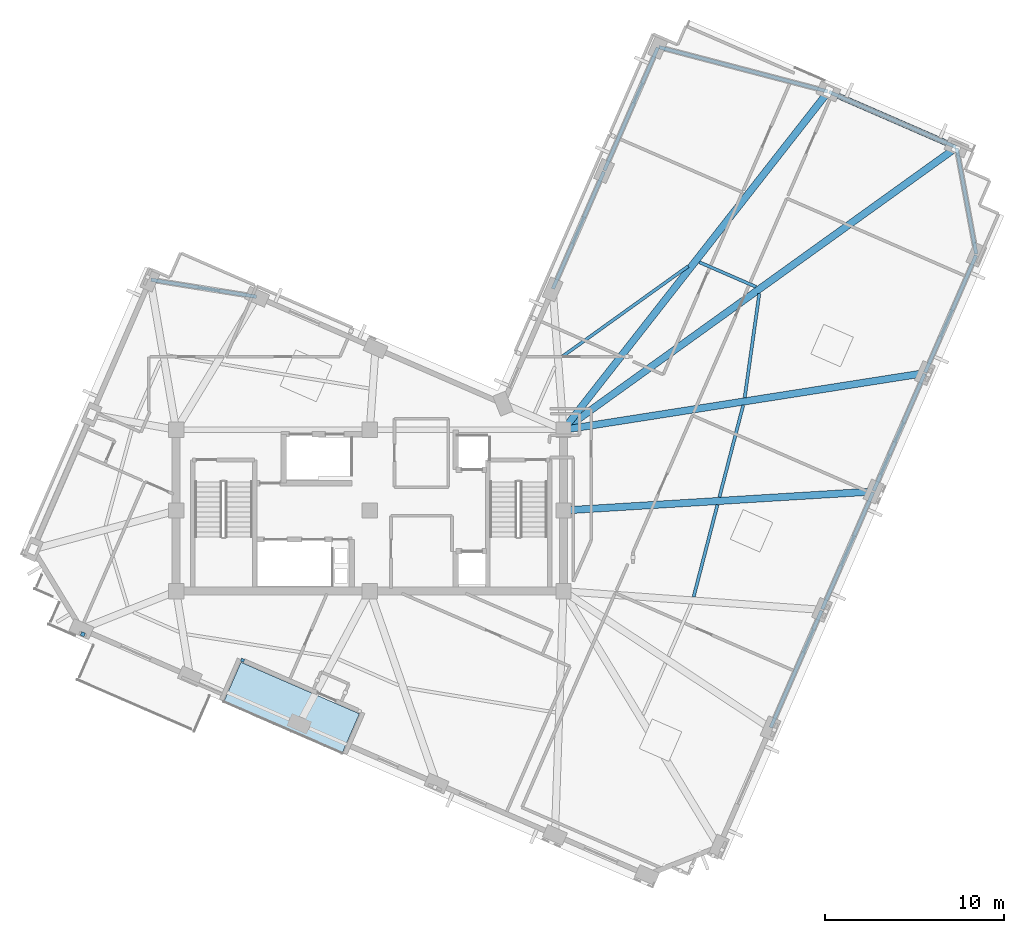
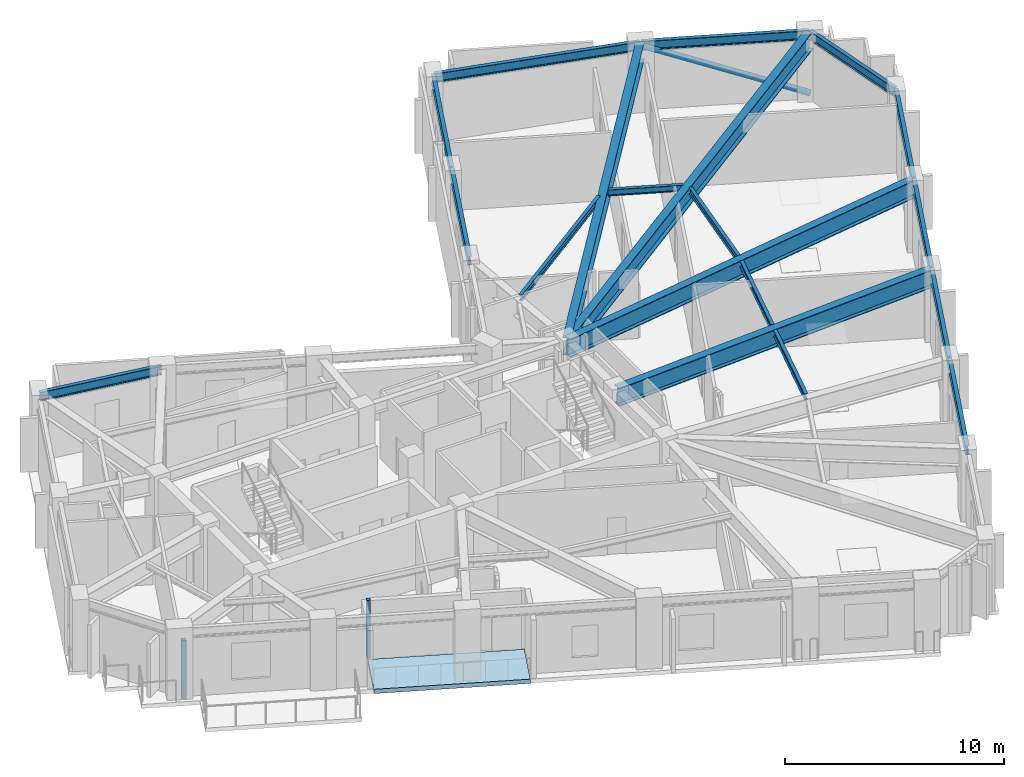
# One storey, part 2 of 12: 19 beams, 2 plates, 1 member, 1 slab.
"""IFC4 building model written with IfcOpenShell, lengths in metres."""

import ifcopenshell
import ifcopenshell.guid

model = None  # the IFC model being written
_history = None  # IfcOwnerHistory: only IFC2X3 demands one
_inside = {}  # id of a spatial element -> (the spatial element, [elements in it])
_under = {}  # id of a project, library or spatial element -> (it, [spatial elements below it])
_declared = {}  # id of a project -> (the project, [libraries it declares])
_typed = {}  # id of a type object -> (the type object, [elements of that type])
_made_of = {}  # id of a material, layer set ... -> (it, [elements and type objects made of it])


def new_model(schema):
    """Start an empty IFC model of exactly this schema.

    Asked for "IFC4X3", IfcOpenShell would pick the latest addendum, in which some entities
    have other attributes; the version numbers below select the first issue.
    IFC2X3 requires an IfcOwnerHistory on every rooted entity: one is made here for all.
    """
    global model, _history
    if schema == "IFC4X3":
        model = ifcopenshell.file(schema_version=(4, 3, 0, 0))
    else:
        model = ifcopenshell.file(schema=schema)
    _inside.clear()
    _under.clear()
    _declared.clear()
    _typed.clear()
    _made_of.clear()
    _history = None
    if model.schema == "IFC2X3":
        org = make("IfcOrganization", Name="unknown")
        user = make(
            "IfcPersonAndOrganization",
            ThePerson=make("IfcPerson", FamilyName="unknown"),
            TheOrganization=org,
        )
        app = make(
            "IfcApplication",
            ApplicationDeveloper=org,
            Version="unknown",
            ApplicationFullName="unknown",
            ApplicationIdentifier="unknown",
        )
        _history = make(
            "IfcOwnerHistory",
            OwningUser=user,
            OwningApplication=app,
            ChangeAction="ADDED",
            CreationDate=0,
        )
    return model


def make(cls, **values):
    """One entity of the class cls with the attributes given. An attribute that is None is left unset."""
    return model.create_entity(
        cls, **{name: value for name, value in values.items() if value is not None}
    )


def rooted(cls, **values):
    """An entity with a GlobalId (a new one), such as an element, a storey or a relation."""
    return make(cls, GlobalId=ifcopenshell.guid.new(), OwnerHistory=_history, **values)


def si_unit(unit_type, name, prefix=None):
    """IfcSIUnit, for example si_unit("LENGTHUNIT", "METRE", prefix="MILLI")."""
    return make("IfcSIUnit", UnitType=unit_type, Prefix=prefix, Name=name)


def assignment(units):
    """IfcUnitAssignment: the units of a project."""
    return None if units is None else make("IfcUnitAssignment", Units=units)


def point(xyz):
    """IfcCartesianPoint."""
    return None if xyz is None else make("IfcCartesianPoint", Coordinates=xyz)


def direction(xyz):
    """IfcDirection."""
    return None if xyz is None else make("IfcDirection", DirectionRatios=xyz)


def frame(location, z_axis=None, x_axis=None):
    """IfcAxis2Placement3D, a coordinate frame: its origin and axes. An axis left out is left unset."""
    return make(
        "IfcAxis2Placement3D",
        Location=point(location),
        Axis=direction(z_axis),
        RefDirection=direction(x_axis),
    )


def frame_2d(location, x_axis=None):
    """IfcAxis2Placement2D, a coordinate frame in the plane: its origin and x axis."""
    return make(
        "IfcAxis2Placement2D", Location=point(location), RefDirection=direction(x_axis)
    )


def origin():
    """The frame at (0, 0, 0) with its axes left unset."""
    return frame((0.0, 0.0, 0.0))


def origin_2d():
    """The frame at (0, 0) in the plane with its x axis left unset."""
    return frame_2d((0.0, 0.0))


def place(relative_to, where):
    """IfcLocalPlacement: puts the frame where relative to a parent placement (None: the world)."""
    return make(
        "IfcLocalPlacement", PlacementRelTo=relative_to, RelativePlacement=where
    )


def context(
    kind, dimensions, precision=None, world=None, true_north=None, identifier=None
):
    """IfcGeometricRepresentationContext, for example the 3D "Model" context."""
    return make(
        "IfcGeometricRepresentationContext",
        ContextIdentifier=identifier,
        ContextType=kind,
        CoordinateSpaceDimension=dimensions,
        Precision=precision,
        WorldCoordinateSystem=world,
        TrueNorth=true_north,
    )


def subcontext(parent, identifier, kind, view, scale=None):
    """IfcGeometricRepresentationSubContext, for example "Body" below "Model"."""
    return make(
        "IfcGeometricRepresentationSubContext",
        ContextIdentifier=identifier,
        ContextType=kind,
        ParentContext=parent,
        TargetScale=scale,
        TargetView=view,
    )


def project(units=None, contexts=None):
    """IfcProject with its units and contexts."""
    return rooted(
        "IfcProject",
        Name="project",
        RepresentationContexts=contexts,
        UnitsInContext=assignment(units),
    )


def spatial(cls, under=None, at=None, **own):
    """A site, building, storey or space (cls), placed at a placement, below another one or the project."""
    s = rooted(cls, ObjectPlacement=at, **own)
    if under is not None:
        _under.setdefault(under.id(), (under, []))[1].append(s)
    return s


def polyline(points):
    """IfcPolyline through the points."""
    return make("IfcPolyline", Points=[point(p) for p in points])


def profile(cls, at=None, kind="AREA", **sizes):
    """A parametric profile (cls). Its sizes go by their IFC names, for example OverallWidth=200.0."""
    return make(cls, ProfileType=kind, Position=at, **sizes)


def rectangle(**sizes):
    """IfcRectangleProfileDef."""
    return profile("IfcRectangleProfileDef", **sizes)


def hollow_circle(**sizes):
    """IfcCircleHollowProfileDef."""
    return profile("IfcCircleHollowProfileDef", **sizes)


def i_section(**sizes):
    """IfcIShapeProfileDef."""
    return profile("IfcIShapeProfileDef", **sizes)


def outline(outer, holes=None, kind="AREA"):
    """IfcArbitraryClosedProfileDef: a profile drawn as a closed curve; with holes, ...WithVoids."""
    if holes is None:
        return make("IfcArbitraryClosedProfileDef", ProfileType=kind, OuterCurve=outer)
    return make(
        "IfcArbitraryProfileDefWithVoids",
        ProfileType=kind,
        OuterCurve=outer,
        InnerCurves=holes,
    )


def extrude(swept, where, along, depth):
    """IfcExtrudedAreaSolid: the profile swept, set in the frame where, extruded along a direction by depth."""
    return make(
        "IfcExtrudedAreaSolid",
        SweptArea=swept,
        Position=where,
        ExtrudedDirection=direction(along),
        Depth=depth,
    )


def shape(context_of_items, identifier, shape_type, items):
    """IfcShapeRepresentation: the items that make up one representation, for example the "Body"."""
    return make(
        "IfcShapeRepresentation",
        ContextOfItems=context_of_items,
        RepresentationIdentifier=identifier,
        RepresentationType=shape_type,
        Items=items,
    )


def material(Name=None, Category=None):
    """IfcMaterial."""
    return make("IfcMaterial", Name=Name, Category=Category)


def layer(
    of_material, thickness, ventilated=None, Name=None, Category=None, Priority=None
):
    """IfcMaterialLayer: one layer of a wall or slab, of a material (None: an air gap)."""
    return make(
        "IfcMaterialLayer",
        Material=of_material,
        LayerThickness=thickness,
        IsVentilated=ventilated,
        Name=Name,
        Category=Category,
        Priority=Priority,
    )


def layer_set(layers, Name=None):
    """IfcMaterialLayerSet."""
    return make("IfcMaterialLayerSet", MaterialLayers=layers, LayerSetName=Name)


def material_profile(
    of_material, cross_section, Name=None, Category=None, Priority=None
):
    """IfcMaterialProfile: a cross section and its material."""
    return make(
        "IfcMaterialProfile",
        Name=Name,
        Material=of_material,
        Profile=cross_section,
        Priority=Priority,
        Category=Category,
    )


def profile_set(profiles, Name=None, composite=None):
    """IfcMaterialProfileSet."""
    return make(
        "IfcMaterialProfileSet",
        Name=Name,
        MaterialProfiles=profiles,
        CompositeProfile=composite,
    )


def made_of(thing, what):
    """Note that an element or type object is made of a material, layer set ...; save() writes the relation."""
    if what is not None:
        _made_of.setdefault(what.id(), (what, []))[1].append(thing)
    return thing


def type_object(cls, material=None, **own):
    """A type object (cls), such as IfcWallType, which elements share."""
    return made_of(rooted(cls, **own), material)


def element(
    cls,
    number,
    at=None,
    inside=None,
    cuts=None,
    type_object=None,
    material=None,
    context=None,
    identifier="Body",
    shape_type=None,
    held_by="IfcProductDefinitionShape",
    body=None,
    shapes=None,
    **own,
):
    """One element of the class cls, such as IfcWall. Its Tag is "e" and its number.

    at: its placement. inside: the storey or other place that contains it. cuts: it is an
    opening in that element (IfcRelVoidsElement). A single representation is given by context,
    identifier, shape_type and body (its items); several are given by shapes. held_by: the class
    of the entity that holds the representations. save() writes the other relations.
    """
    e = rooted(cls, Tag="e%d" % number, ObjectPlacement=at, **own)
    if body is not None:
        shapes = [shape(context, identifier, shape_type, body)]
    if shapes is not None:
        e.Representation = make(held_by, Representations=shapes)
    if inside is not None:
        _inside.setdefault(inside.id(), (inside, []))[1].append(e)
    if cuts is not None:
        rooted(
            "IfcRelVoidsElement", RelatingBuildingElement=cuts, RelatedOpeningElement=e
        )
    if type_object is not None:
        _typed.setdefault(type_object.id(), (type_object, []))[1].append(e)
    return made_of(e, material)


def aggregate(whole, parts):
    """IfcRelAggregates: a whole, such as a stair, and the parts it consists of."""
    return rooted("IfcRelAggregates", RelatingObject=whole, RelatedObjects=parts)


def save(model, path):
    """Write the relations noted so far, then the file.

    IfcRelAggregates (storeys below a building ...), IfcRelContainedInSpatialStructure (elements
    in a storey), IfcRelDefinesByType, IfcRelAssociatesMaterial and IfcRelDeclares: one each for
    every whole, place, type object, material and project.
    """
    for whole, parts in _under.values():
        aggregate(whole, parts)
    for where, things in _inside.values():
        rooted(
            "IfcRelContainedInSpatialStructure",
            RelatedElements=things,
            RelatingStructure=where,
        )
    for kind, things in _typed.values():
        rooted("IfcRelDefinesByType", RelatedObjects=things, RelatingType=kind)
    for what, things in _made_of.values():
        rooted("IfcRelAssociatesMaterial", RelatedObjects=things, RelatingMaterial=what)
    for by, libraries in _declared.values():
        rooted("IfcRelDeclares", RelatingContext=by, RelatedDefinitions=libraries)
    model.write(path)


model = new_model("IFC4")

# Units and contexts
model_context = context("Model", 3, precision=1e-05, world=origin(), true_north=direction((0.0, 1.0)))
body_context = subcontext(model_context, "Body", "Model", "MODEL_VIEW")
ifc_project = project(units=[si_unit("LENGTHUNIT", "METRE"), si_unit("AREAUNIT", "SQUARE_METRE"), si_unit("VOLUMEUNIT", "CUBIC_METRE"), si_unit("PLANEANGLEUNIT", "RADIAN"), si_unit("MASSUNIT", "GRAM", prefix="KILO")], contexts=[model_context])

# Site, building, storey
site_placement = place(None, origin())
site = spatial("IfcSite", under=ifc_project, at=site_placement, CompositionType="ELEMENT")
building_placement = place(site_placement, origin())
building = spatial("IfcBuilding", under=site, at=building_placement, Name="Gaonmaruhae Medical Tower", CompositionType="ELEMENT")
storey_placement = place(building_placement, frame((0.0, 0.0, 312.60009765625)))
storey = spatial("IfcBuildingStorey", under=building, at=storey_placement, Name="L75", CompositionType="ELEMENT", Elevation=312.60009765625)

# Beams
ifc_material_1 = material(Name="Steel SM420", Category="steel")
ifc_material_profile_1 = material_profile(ifc_material_1, i_section(OverallWidth=0.39990234375, OverallDepth=1.0, WebThickness=0.02197265625, FlangeThickness=0.035888671875, at=origin_2d()), Name="BH-1000x400x22x36")
ifc_profile_set_1 = profile_set([ifc_material_profile_1], Name="Steel SM420")
beam_type_1 = type_object("IfcBeamType", Name="BG-02 Refuge Floor Primary Girder (BH-1000x400x22x36)", PredefinedType="BEAM", material=ifc_profile_set_1)
beam_1_placement = place(storey_placement, frame((35.64990234375, 12.302978515625, 3.27978515625), z_axis=(0.998125311209, 0.061203456791, 0.0), x_axis=(-0.061203456791, 0.998125311209, 0.0)))
element("IfcBeam", 1, at=beam_1_placement, inside=storey, type_object=beam_type_1, Name="L75 Radial Primary Girder S04", PredefinedType="BEAM", context=body_context, shape_type="SweptSolid", body=[
    extrude(i_section(OverallWidth=0.39990234375, OverallDepth=1.0, WebThickness=0.02197265625, FlangeThickness=0.035888671875, at=origin_2d()), origin(), (0.0, 0.0, 1.0), 17.220458984375),
])
beam_2_placement = place(storey_placement, frame((35.6494140625, 16.807861328125, 3.27978515625), z_axis=(0.987915736395, 0.15499192812, 0.0), x_axis=(-0.15499192812, 0.987915736395, 0.0)))
element("IfcBeam", 2, at=beam_2_placement, inside=storey, type_object=beam_type_1, Name="L75 Radial Primary Girder S05", PredefinedType="BEAM", context=body_context, shape_type="SweptSolid", body=[
    extrude(i_section(OverallWidth=0.39990234375, OverallDepth=1.0, WebThickness=0.02197265625, FlangeThickness=0.035888671875, at=origin_2d()), origin(), (0.0, 0.0, 1.0), 20.3056640625),
])
beam_3_placement = place(storey_placement, frame((35.640625, 16.8291015625, 3.27978515625), z_axis=(0.812127869731, 0.583479496818, 0.0), x_axis=(-0.583479496818, 0.812127869731, 0.0)))
element("IfcBeam", 3, at=beam_3_placement, inside=storey, type_object=beam_type_1, Name="L75 Radial Primary Girder E01", PredefinedType="BEAM", context=body_context, shape_type="SweptSolid", body=[
    extrude(i_section(OverallWidth=0.39990234375, OverallDepth=1.0, WebThickness=0.02197265625, FlangeThickness=0.035888671875, at=origin_2d()), origin(), (0.0, 0.0, 1.0), 26.89794921875),
])
beam_4_placement = place(storey_placement, frame((35.630859375, 16.83935546875, 3.27978515625), z_axis=(0.616575305367, 0.78729593725, 0.0), x_axis=(-0.78729593725, 0.616575305367, 0.0)))
element("IfcBeam", 4, at=beam_4_placement, inside=storey, type_object=beam_type_1, Name="L75 Radial Primary Girder E02", PredefinedType="BEAM", context=body_context, shape_type="SweptSolid", body=[
    extrude(i_section(OverallWidth=0.39990234375, OverallDepth=1.0, WebThickness=0.02197265625, FlangeThickness=0.035888671875, at=origin_2d()), origin(), (0.0, 0.0, 1.0), 23.859130859375),
])
ifc_material_2 = material(Name="Steel SM355", Category="steel")
ifc_material_profile_2 = material_profile(ifc_material_2, i_section(OverallWidth=0.175048828125, OverallDepth=0.35009765625, WebThickness=0.007080078125, FlangeThickness=0.010986328125, FilletRadius=0.012939453125, at=origin_2d()), Name="H-350x175x7x11")
ifc_profile_set_2 = profile_set([ifc_material_profile_2], Name="Steel SM355")
beam_type_2 = type_object("IfcBeamType", Name="FJ-02 Upper Zone Ward Floor Joist (H-350x175x7x11)", PredefinedType="JOIST", material=ifc_profile_set_2)
beam_5_placement = place(storey_placement, frame((42.86083984375, 7.481201171875, 3.60498046875), z_axis=(0.250373159945, 0.968149410359, 0.0), x_axis=(-0.968149410359, 0.250373159945, 0.0)))
element("IfcBeam", 5, at=beam_5_placement, inside=storey, type_object=beam_type_2, Name="L75 Secondary Floor Joist FJ03", PredefinedType="JOIST", context=body_context, shape_type="SweptSolid", body=[
    extrude(i_section(OverallWidth=0.175048828125, OverallDepth=0.35009765625, WebThickness=0.007080078125, FlangeThickness=0.010986328125, FilletRadius=0.012939453125, at=origin_2d()), origin(), (0.0, 0.0, 1.0), 5.30859375),
])
beam_6_placement = place(storey_placement, frame((44.298095703125, 13.03955078125, 3.60498046875), z_axis=(0.25037313325, 0.968149417263, 0.0), x_axis=(-0.968149417263, 0.25037313325, 0.0)))
element("IfcBeam", 6, at=beam_6_placement, inside=storey, type_object=beam_type_2, Name="L75 Secondary Floor Joist FJ04", PredefinedType="JOIST", context=body_context, shape_type="SweptSolid", body=[
    extrude(i_section(OverallWidth=0.175048828125, OverallDepth=0.35009765625, WebThickness=0.007080078125, FlangeThickness=0.010986328125, FilletRadius=0.012939453125, at=origin_2d()), origin(), (0.0, 0.0, 1.0), 5.2939453125),
])
beam_7_placement = place(storey_placement, frame((45.70947265625, 18.594482421875, 3.60498046875), z_axis=(0.138970704931, 0.990296492557, 0.0), x_axis=(-0.990296492557, 0.138970704931, 0.0)))
element("IfcBeam", 7, at=beam_7_placement, inside=storey, type_object=beam_type_2, Name="L75 Secondary Floor Joist FJ05", PredefinedType="JOIST", context=body_context, shape_type="SweptSolid", body=[
    extrude(i_section(OverallWidth=0.175048828125, OverallDepth=0.35009765625, WebThickness=0.007080078125, FlangeThickness=0.010986328125, FilletRadius=0.012939453125, at=origin_2d()), origin(), (0.0, 0.0, 1.0), 5.85888671875),
])
beam_8_placement = place(storey_placement, frame((46.34375, 24.771484375, 3.60498046875), z_axis=(-0.917037412136, 0.39880118448, 0.0), x_axis=(-0.39880118448, -0.917037412136, 0.0)))
element("IfcBeam", 8, at=beam_8_placement, inside=storey, type_object=beam_type_2, Name="L75 Secondary Floor Joist FJ06", PredefinedType="JOIST", context=body_context, shape_type="SweptSolid", body=[
    extrude(i_section(OverallWidth=0.175048828125, OverallDepth=0.35009765625, WebThickness=0.007080078125, FlangeThickness=0.010986328125, FilletRadius=0.012939453125, at=origin_2d()), origin(), (0.0, 0.0, 1.0), 3.448486328125),
])
beam_9_placement = place(storey_placement, frame((42.553955078125, 25.921142578125, 3.60498046875), z_axis=(-0.812434971378, -0.583051813548, 0.0), x_axis=(0.583051813548, -0.812434971378, 0.0)))
element("IfcBeam", 9, at=beam_9_placement, inside=storey, type_object=beam_type_2, Name="L75 Secondary Floor Joist FJ07", PredefinedType="JOIST", context=body_context, shape_type="SweptSolid", body=[
    extrude(i_section(OverallWidth=0.175048828125, OverallDepth=0.35009765625, WebThickness=0.007080078125, FlangeThickness=0.010986328125, FilletRadius=0.012939453125, at=origin_2d()), origin(), (0.0, 0.0, 1.0), 8.690185546875),
])

# Member
ifc_material_profile_3 = material_profile(ifc_material_2, hollow_circle(Radius=0.1591796875, WallThickness=0.01025390625, at=origin_2d()), Name="CHS-318.5x10.3")
ifc_profile_set_3 = profile_set([ifc_material_profile_3], Name="Steel SM355")
member_type = type_object("IfcMemberType", Name="PB-03 Perimeter Solid-Bay Tube Brace Upper (CHS-318.5x10.3)", PredefinedType="BRACE", material=ifc_profile_set_3)
member_placement = place(storey_placement, frame((57.525634765625, 32.552734375, 0.25), z_axis=(-0.845363434986, 0.367570646402, 0.387624151328), x_axis=(-0.398745568807, -0.917061596272, 0.0)))
element("IfcMember", 10, at=member_placement, inside=storey, type_object=member_type, Name="L75 Perimeter Tube Solid-Bay Brace E01-E02", PredefinedType="BRACE", context=body_context, shape_type="SweptSolid", body=[
    extrude(hollow_circle(Radius=0.1591796875, WallThickness=0.01025390625, at=origin_2d()), origin(), (0.0, 0.0, 1.0), 8.461181640625),
])

# Beams
ifc_material_profile_4 = material_profile(ifc_material_2, i_section(OverallWidth=0.199951171875, OverallDepth=0.5, WebThickness=0.010009765625, FlangeThickness=0.01611328125, FilletRadius=0.012939453125, at=origin_2d()), Name="H-500x200x10x16")
ifc_profile_set_4 = profile_set([ifc_material_profile_4], Name="Steel SM355")
beam_type_3 = type_object("IfcBeamType", Name="SP-02 Upper Perimeter Spandrel Beam (H-500x200x10x16)", PredefinedType="SPANDREL", material=ifc_profile_set_4)
beam_10_placement = place(storey_placement, frame((47.162109375, 0.191162109375, 3.52978515625), z_axis=(0.398759965154, 0.917055336493, 0.0), x_axis=(-0.917055336493, 0.398759965154, 0.0)))
element("IfcBeam", 11, at=beam_10_placement, inside=storey, type_object=beam_type_3, Name="L75 Perimeter Spandrel Beam S02-S03", PredefinedType="SPANDREL", context=body_context, shape_type="SweptSolid", body=[
    extrude(i_section(OverallWidth=0.199951171875, OverallDepth=0.5, WebThickness=0.010009765625, FlangeThickness=0.01611328125, FilletRadius=0.012939453125, at=origin_2d()), origin(), (0.0, 0.0, 1.0), 7.119873046875),
])
for number, where, z_axis, x_axis, name in (
    (12, (50.032958984375, 6.7939453125, 3.52978515625), (0.398747426125, 0.917060788693, 0.0), (-0.917060788693, 0.398747426125, 0.0), "L75 Perimeter Spandrel Beam S03-S04"),
    (13, (52.904052734375, 13.396728515625, 3.52978515625), (0.398747426125, 0.917060788693, 0.0), (-0.917060788693, 0.398747426125, 0.0), "L75 Perimeter Spandrel Beam S04-S05"),
):
    element("IfcBeam", number, at=place(storey_placement, frame(where, z_axis=z_axis, x_axis=x_axis)), inside=storey, type_object=beam_type_3, Name=name, PredefinedType="SPANDREL", context=body_context, shape_type="SweptSolid", body=[
        extrude(i_section(OverallWidth=0.199951171875, OverallDepth=0.5, WebThickness=0.010009765625, FlangeThickness=0.01611328125, FilletRadius=0.012939453125, at=origin_2d()), origin(), (0.0, 0.0, 1.0), 7.1201171875),
    ])
beam_11_placement = place(storey_placement, frame((55.775146484375, 19.99951171875, 3.52978515625), z_axis=(0.398718588421, 0.917073327083, 0.0), x_axis=(-0.917073327083, 0.398718588421, 0.0)))
element("IfcBeam", 14, at=beam_11_placement, inside=storey, type_object=beam_type_3, Name="L75 Perimeter Spandrel Beam S05-S06", PredefinedType="SPANDREL", context=body_context, shape_type="SweptSolid", body=[
    extrude(i_section(OverallWidth=0.199951171875, OverallDepth=0.5, WebThickness=0.010009765625, FlangeThickness=0.01611328125, FilletRadius=0.012939453125, at=origin_2d()), origin(), (0.0, 0.0, 1.0), 7.119873046875),
])
beam_12_placement = place(storey_placement, frame((58.622802734375, 26.60498046875, 3.52978515625), z_axis=(-0.181402379506, 0.983408957001, 0.0), x_axis=(-0.983408957001, -0.181402379506, 0.0)))
element("IfcBeam", 15, at=beam_12_placement, inside=storey, type_object=beam_type_3, Name="L75 Perimeter Spandrel Beam S06-E01", PredefinedType="SPANDREL", context=body_context, shape_type="SweptSolid", body=[
    extrude(i_section(OverallWidth=0.199951171875, OverallDepth=0.5, WebThickness=0.010009765625, FlangeThickness=0.01611328125, FilletRadius=0.012939453125, at=origin_2d()), origin(), (0.0, 0.0, 1.0), 6.0078125),
])
beam_13_placement = place(storey_placement, frame((57.489013671875, 32.568603515625, 3.52978515625), z_axis=(-0.91705648068, 0.398757333778, 0.0), x_axis=(-0.398757333778, -0.91705648068, 0.0)))
element("IfcBeam", 16, at=beam_13_placement, inside=storey, type_object=beam_type_3, Name="L75 Perimeter Spandrel Beam E01-E02", PredefinedType="SPANDREL", context=body_context, shape_type="SweptSolid", body=[
    extrude(i_section(OverallWidth=0.199951171875, OverallDepth=0.5, WebThickness=0.010009765625, FlangeThickness=0.01611328125, FilletRadius=0.012939453125, at=origin_2d()), origin(), (0.0, 0.0, 1.0), 7.719970703125),
])
beam_14_placement = place(storey_placement, frame((50.333984375, 35.673095703125, 3.52978515625), z_axis=(-0.967227039177, 0.253913084904, 0.0), x_axis=(-0.253913084904, -0.967227039177, 0.0)))
element("IfcBeam", 17, at=beam_14_placement, inside=storey, type_object=beam_type_3, Name="L75 Perimeter Spandrel Beam E02-E03", PredefinedType="SPANDREL", context=body_context, shape_type="SweptSolid", body=[
    extrude(i_section(OverallWidth=0.199951171875, OverallDepth=0.5, WebThickness=0.010009765625, FlangeThickness=0.01611328125, FilletRadius=0.012939453125, at=origin_2d()), origin(), (0.0, 0.0, 1.0), 9.7353515625),
])
beam_15_placement = place(storey_placement, frame((40.863037109375, 38.118408203125, 3.52978515625), z_axis=(-0.398738062403, -0.917064860079, 0.0), x_axis=(0.917064860079, -0.398738062403, 0.0)))
element("IfcBeam", 18, at=beam_15_placement, inside=storey, type_object=beam_type_3, Name="L75 Perimeter Spandrel Beam E03-EN01", PredefinedType="SPANDREL", context=body_context, shape_type="SweptSolid", body=[
    extrude(i_section(OverallWidth=0.199951171875, OverallDepth=0.5, WebThickness=0.010009765625, FlangeThickness=0.01611328125, FilletRadius=0.012939453125, at=origin_2d()), origin(), (0.0, 0.0, 1.0), 7.469970703125),
])
beam_16_placement = place(storey_placement, frame((37.8525390625, 31.194580078125, 3.52978515625), z_axis=(-0.398759965154, -0.917055336493, 0.0), x_axis=(0.917055336493, -0.398759965154, 0.0)))
element("IfcBeam", 19, at=beam_16_placement, inside=storey, type_object=beam_type_3, Name="L75 Perimeter Spandrel Beam EN01-EN02", PredefinedType="SPANDREL", context=body_context, shape_type="SweptSolid", body=[
    extrude(i_section(OverallWidth=0.199951171875, OverallDepth=0.5, WebThickness=0.010009765625, FlangeThickness=0.01611328125, FilletRadius=0.012939453125, at=origin_2d()), origin(), (0.0, 0.0, 1.0), 7.119873046875),
])
beam_17_placement = place(storey_placement, frame((18.4765625, 24.22265625, 3.52978515625), z_axis=(-0.987363817678, 0.158469844265, 0.0), x_axis=(-0.158469844265, -0.987363817678, 0.0)))
element("IfcBeam", 20, at=beam_17_placement, inside=storey, type_object=beam_type_3, Name="L75 Perimeter Spandrel Beam NE02-N01", PredefinedType="SPANDREL", context=body_context, shape_type="SweptSolid", body=[
    extrude(i_section(OverallWidth=0.199951171875, OverallDepth=0.5, WebThickness=0.010009765625, FlangeThickness=0.01611328125, FilletRadius=0.012939453125, at=origin_2d()), origin(), (0.0, 0.0, 1.0), 5.958984375),
])

# Plates
ifc_material_3 = material(Name="Anodised aluminium 6063-T6", Category="aluminium")
ifc_layer_1 = layer(ifc_material_3, 0.011962890625)
ifc_layer_set_1 = layer_set([ifc_layer_1], Name="Anodised aluminium 6063-T6")
plate_type = type_object("IfcPlateType", Name="PP-01 Interior Partition Corner Stiffener Plate", PredefinedType="SHEET", material=ifc_layer_set_1)
plate_1_placement = place(storey_placement, frame((17.70703125, 3.94775390625, 0.0), z_axis=(0.0, 0.0, 1.0), x_axis=(-0.917060074385, 0.398749068925, 0.0)))
element("IfcPlate", 21, at=plate_1_placement, inside=storey, type_object=plate_type, Name="L75 Partition End Jamb Post Plate PLT-L75-ENDP-TERB-1", PredefinedType="SHEET", context=body_context, shape_type="SweptSolid", body=[
    extrude(rectangle(XDim=0.179931640625, YDim=0.179931640625, at=origin_2d()), origin(), (0.0, 0.0, 1.0), 3.264892578125),
])
plate_2_placement = place(storey_placement, frame((8.7939453125, 5.402587890625, 0.0), z_axis=(0.0, 0.0, 1.0), x_axis=(-0.916809351952, 0.399325196016, 0.0)))
element("IfcPlate", 22, at=plate_2_placement, inside=storey, type_object=plate_type, Name="L75 Partition Corner Stiffener Plate PLT-L75-JGP-PW039", PredefinedType="SHEET", context=body_context, shape_type="SweptSolid", body=[
    extrude(rectangle(XDim=0.219970703125, YDim=0.219970703125, at=origin_2d()), origin(), (0.0, 0.0, 1.0), 3.264892578125),
])

# Slab
ifc_material_4 = material(Name="Concrete C40/50", Category="concrete")
ifc_layer_2 = layer(ifc_material_4, 0.239990234375)
ifc_layer_set_2 = layer_set([ifc_layer_2], Name="Concrete C40/50")
slab_type = type_object("IfcSlabType", Name="TS-240 Sky Garden & Recovery Terrace Slab", PredefinedType="FLOOR", material=ifc_layer_set_2)
slab_placement = place(storey_placement, frame((0.0, 0.0, -0.239990234375)))
element("IfcSlab", 23, at=slab_placement, inside=storey, type_object=slab_type, Name="L75 Outdoor Recovery Terrace Slab", PredefinedType="FLOOR", context=body_context, shape_type="SweptSolid", body=[
    extrude(outline(polyline([(23.260498046875, -1.236572265625), (24.21728515625, 0.96435546875), (17.614501953125, 3.83544921875), (16.657470703125, 1.634521484375), (23.260498046875, -1.236572265625)])), origin(), (0.0, 0.0, 1.0), 0.239990234375),
])

save(model, "model.ifc")
